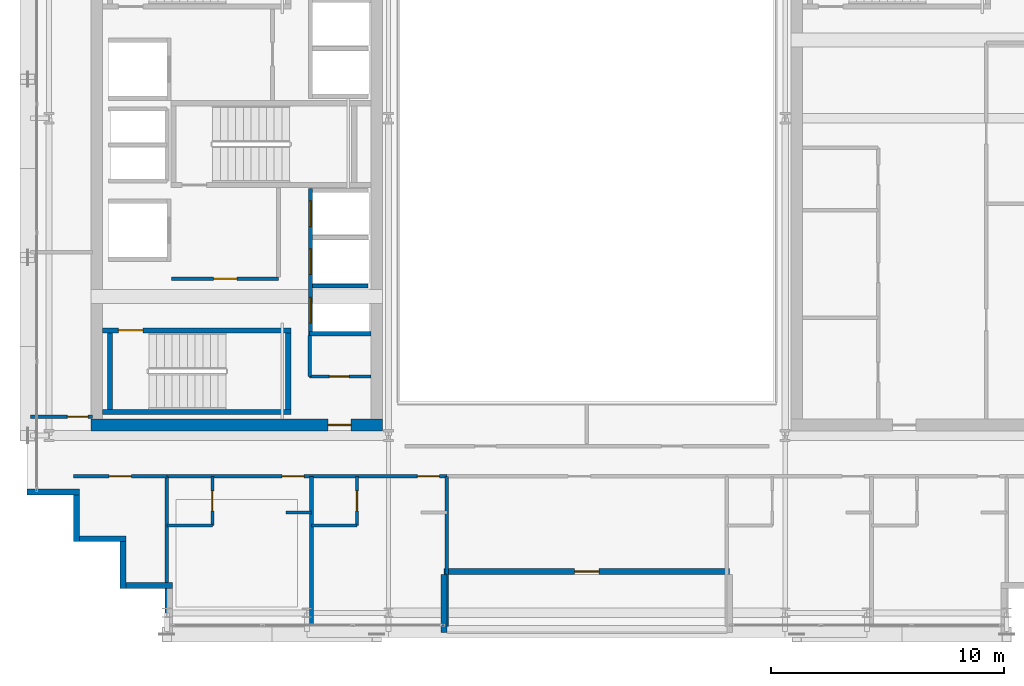
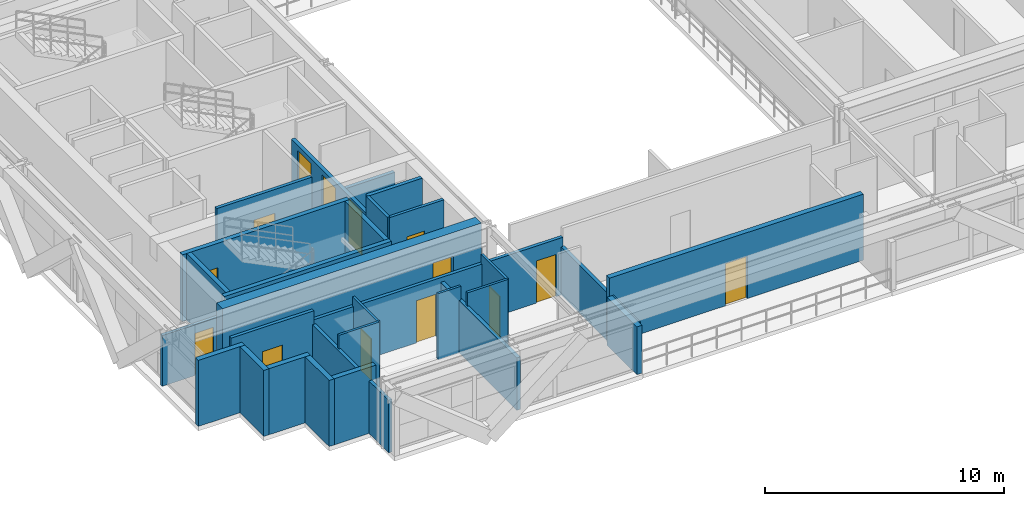
# One storey, part 24 of 32: 29 walls, 14 doors, 14 openings.
"""IFC4 building model written with IfcOpenShell, lengths in metres."""

from ifc_helpers import new_model, si_unit, direction, frame, frame_2d, origin, place, context, subcontext, project, spatial, rectangle, extrude, source, transform, mapped, material, layer, layer_set, type_object, element, fill, save


model = new_model("IFC4")

# Units and contexts
model_context = context("Model", 3, precision=1e-05, world=origin(), true_north=direction((0.0, 1.0)))
body_context = subcontext(model_context, "Body", "Model", "MODEL_VIEW")
ifc_project = project(units=[si_unit("LENGTHUNIT", "METRE"), si_unit("AREAUNIT", "SQUARE_METRE"), si_unit("VOLUMEUNIT", "CUBIC_METRE"), si_unit("PLANEANGLEUNIT", "RADIAN"), si_unit("MASSUNIT", "GRAM", prefix="KILO")], contexts=[model_context])

# Site, building, storey
site_placement = place(None, origin())
site = spatial("IfcSite", under=ifc_project, at=site_placement, CompositionType="ELEMENT")
building_placement = place(site_placement, origin())
building = spatial("IfcBuilding", under=site, at=building_placement, Name="Ocotamira Hotel", CompositionType="ELEMENT")
storey_placement = place(building_placement, frame((0.0, 0.0, 177.60009765625)))
storey = spatial("IfcBuildingStorey", under=building, at=storey_placement, Name="L44", CompositionType="ELEMENT", Elevation=177.60009765625)

# Wall, opening, door
ifc_material_1 = material(Name="Concrete C50/60", Category="concrete")
ifc_layer_1 = layer(ifc_material_1, 0.5)
ifc_layer_set_1 = layer_set([ifc_layer_1], Name="Concrete C50/60")
wall_type_1 = type_object("IfcWallType", Name="WL-CORE-500", PredefinedType="SHEAR", material=ifc_layer_set_1)
wall_1_placement = place(storey_placement, frame((10.75, 15.0, 0.0), z_axis=(0.0, 0.0, 1.0), x_axis=(1.0, 0.0, 0.0)))
wall_1 = element("IfcWall", 1, at=wall_1_placement, inside=storey, type_object=wall_type_1, Name="L44 Shear Core Wall WCORE-S", PredefinedType="SHEAR", context=body_context, shape_type="SweptSolid", body=[
    extrude(rectangle(XDim=12.5, YDim=0.5, at=frame_2d((6.25, 0.0))), origin(), (0.0, 0.0, 1.0), 3.369873046875),
])
opening_1_placement = place(wall_1_placement, frame((10.14990234375, 0.0, 0.0)))
opening_1 = element("IfcOpeningElement", 2, at=opening_1_placement, cuts=wall_1, Name="Opening D-FR2", PredefinedType="OPENING", context=body_context, shape_type="SweptSolid", body=[
    extrude(rectangle(XDim=1.0, YDim=2.14990234375, at=frame_2d((0.5, 1.074951171875))), frame((0.0, 0.260009765625, 0.0), z_axis=(0.0, -1.0, 0.0), x_axis=(1.0, 0.0, 0.0)), (0.0, 0.0, 1.0), 0.52001953125),
])
ifc_material_2 = material(Name="Fire-rated acoustic timber-veneer door", Category="wood")
door_type_1 = type_object("IfcDoorType", Name="DR-FIRE-1000", OperationType="NOTDEFINED", PredefinedType="DOOR", material=ifc_material_2)
shared_shape_1 = source(origin(), body_context, "Body", "SweptSolid", [
    extrude(rectangle(XDim=1.0, YDim=2.14990234375, at=frame_2d((0.5, 1.074951171875))), frame((0.0, 0.02490234375, 0.0), z_axis=(0.0, -1.0, 0.0), x_axis=(1.0, 0.0, 0.0)), (0.0, 0.0, 1.0), 0.050048828125),
])
door_1_placement = place(opening_1_placement, origin())
door_1 = element("IfcDoor", 3, at=door_1_placement, inside=storey, type_object=door_type_1, Name="L44 Door ID-L44-WLOB-S-D [ID-L44-WLOB-S-D]", OperationType="SINGLE_SWING_LEFT", OverallHeight=2.14990234375, OverallWidth=1.0, PredefinedType="DOOR", context=body_context, shape_type="MappedRepresentation", body=[
    mapped(shared_shape_1, transform((0.0, 0.0, 0.0), scale=1.0)),
])
fill(opening_1, door_1)

# Walls
ifc_material_3 = material(Name="Precast concrete C45/55", Category="concrete")
ifc_layer_2 = layer(ifc_material_3, 0.25)
ifc_layer_set_2 = layer_set([ifc_layer_2], Name="Precast concrete C45/55")
wall_type_2 = type_object("IfcWallType", Name="WL-EXT-SER-250", PredefinedType="SOLIDWALL", material=ifc_layer_set_2)
wall_2_placement = place(storey_placement, frame((8.0, 12.125, 0.0), z_axis=(0.0, 0.0, 1.0), x_axis=(1.0, 0.0, 0.0)))
element("IfcWall", 4, at=wall_2_placement, inside=storey, type_object=wall_type_2, Name="L44 Serrated Corner Wall 19", PredefinedType="SOLIDWALL", context=body_context, shape_type="SweptSolid", body=[
    extrude(rectangle(XDim=2.25, YDim=0.25, at=frame_2d((1.125, 0.0))), origin(), (0.0, 0.0, 1.0), 3.369873046875),
])
for number, where, z_axis, x_axis, name in (
    (5, (10.125, 12.0, 0.0), (0.0, 0.0, 1.0), (0.0, -1.0, 0.0), "L44 Serrated Corner Wall 20"),
    (6, (10.25, 10.125, 0.0), (0.0, 0.0, 1.0), (1.0, 0.0, 0.0), "L44 Serrated Corner Wall 21"),
    (7, (12.125, 10.0, 0.0), (0.0, 0.0, 1.0), (0.0, -1.0, 0.0), "L44 Serrated Corner Wall 22"),
    (8, (12.25, 8.125, 0.0), (0.0, 0.0, 1.0), (1.0, 0.0, 0.0), "L44 Serrated Corner Wall 23"),
):
    element("IfcWall", number, at=place(storey_placement, frame(where, z_axis=z_axis, x_axis=x_axis)), inside=storey, type_object=wall_type_2, Name=name, PredefinedType="SOLIDWALL", context=body_context, shape_type="SweptSolid", body=[
        extrude(rectangle(XDim=2.0, YDim=0.25, at=frame_2d((1.0, 0.0))), origin(), (0.0, 0.0, 1.0), 3.369873046875),
    ])

# Wall, opening, door
wall_3_placement = place(storey_placement, frame((25.875, 8.72509765625, 0.0), z_axis=(0.0, 0.0, 1.0), x_axis=(1.0, 0.0, 0.0)))
wall_3 = element("IfcWall", 9, at=wall_3_placement, inside=storey, type_object=wall_type_2, Name="L44 Sky Terrace Back Wall 1", PredefinedType="SOLIDWALL", context=body_context, shape_type="SweptSolid", body=[
    extrude(rectangle(XDim=12.25, YDim=0.25, at=frame_2d((6.125, 0.0))), origin(), (0.0, 0.0, 1.0), 3.369873046875),
])
opening_2_placement = place(wall_3_placement, frame((5.60009765625, 0.0, 0.0)))
opening_2 = element("IfcOpeningElement", 10, at=opening_2_placement, cuts=wall_3, Name="Opening ED-3", PredefinedType="OPENING", context=body_context, shape_type="SweptSolid", body=[
    extrude(rectangle(XDim=1.050048828125, YDim=2.14990234375, at=frame_2d((0.52490234375, 1.074951171875))), frame((0.0, 0.135009765625, 0.0), z_axis=(0.0, -1.0, 0.0), x_axis=(1.0, 0.0, 0.0)), (0.0, 0.0, 1.0), 0.27001953125),
])
ifc_material_4 = material(Name="Thermally broken aluminium glazed door", Category="aluminium")
door_type_2 = type_object("IfcDoorType", Name="DR-TERR-1050", OperationType="NOTDEFINED", PredefinedType="DOOR", material=ifc_material_4)
shared_shape_2 = source(origin(), body_context, "Body", "SweptSolid", [
    extrude(rectangle(XDim=1.050048828125, YDim=2.14990234375, at=frame_2d((0.52490234375, 1.074951171875))), frame((0.0, 0.02490234375, 0.0), z_axis=(0.0, -1.0, 0.0), x_axis=(1.0, 0.0, 0.0)), (0.0, 0.0, 1.0), 0.050048828125),
])
door_2_placement = place(opening_2_placement, origin())
door_2 = element("IfcDoor", 11, at=door_2_placement, inside=storey, type_object=door_type_2, Name="L44 Sky Terrace Access Door 1 [ED-BAL-L44-1]", OperationType="SINGLE_SWING_RIGHT", OverallHeight=2.14990234375, OverallWidth=1.050048828125, PredefinedType="DOOR", context=body_context, shape_type="MappedRepresentation", body=[
    mapped(shared_shape_2, transform((0.0, 0.0, 0.0), scale=1.0)),
])
fill(opening_2, door_2)

# Wall
wall_4_placement = place(storey_placement, frame((25.875, 6.10009765625, 0.0), z_axis=(0.0, 0.0, 1.0), x_axis=(0.0, 1.0, 0.0)))
element("IfcWall", 12, at=wall_4_placement, inside=storey, type_object=wall_type_2, Name="L44 Sky Terrace Return Wall 1L", PredefinedType="SOLIDWALL", context=body_context, shape_type="SweptSolid", body=[
    extrude(rectangle(XDim=2.5, YDim=0.25, at=frame_2d((1.25, 0.0))), origin(), (0.0, 0.0, 1.0), 2.44287109375),
])

# Wall, opening, door
ifc_material_5 = material(Name="Acoustic double-layer fire gypsum board partition", Category="gypsum")
ifc_layer_3 = layer(ifc_material_5, 0.159912109375)
ifc_layer_set_3 = layer_set([ifc_layer_3], Name="Acoustic double-layer fire gypsum board partition")
wall_type_3 = type_object("IfcWallType", Name="WL-FIRE-160", PredefinedType="PARTITIONING", material=ifc_layer_set_3)
wall_5_placement = place(storey_placement, frame((14.199951171875, 21.27001953125, 0.0), z_axis=(0.0, 0.0, 1.0), x_axis=(1.0, 0.0, 0.0)))
wall_5 = element("IfcWall", 13, at=wall_5_placement, inside=storey, type_object=wall_type_3, Name="L44 Interior Wall PW-L44-FSAE1-S", PredefinedType="PARTITIONING", context=body_context, shape_type="SweptSolid", body=[
    extrude(rectangle(XDim=4.580078125, YDim=0.159912109375, at=frame_2d((2.2900390625, 0.0))), origin(), (0.0, 0.0, 1.0), 3.369873046875),
])
opening_3_placement = place(wall_5_placement, frame((1.800048828125, 0.0, 0.0)))
opening_3 = element("IfcOpeningElement", 14, at=opening_3_placement, cuts=wall_5, Name="Opening D-FR2", PredefinedType="OPENING", context=body_context, shape_type="SweptSolid", body=[
    extrude(rectangle(XDim=1.0, YDim=2.14990234375, at=frame_2d((0.5, 1.074951171875))), frame((0.0, 0.08984375, 0.0), z_axis=(0.0, -1.0, 0.0), x_axis=(1.0, 0.0, 0.0)), (0.0, 0.0, 1.0), 0.179931640625),
])
door_3_placement = place(opening_3_placement, origin())
door_3 = element("IfcDoor", 15, at=door_3_placement, inside=storey, type_object=door_type_1, Name="L44 Door ID-L44-FSAE1-D [ID-L44-FSAE1-D]", OperationType="SINGLE_SWING_LEFT", OverallHeight=2.14990234375, OverallWidth=1.0, PredefinedType="DOOR", context=body_context, shape_type="MappedRepresentation", body=[
    mapped(shared_shape_1, transform((0.0, 0.0, 0.0), scale=1.0)),
])
fill(opening_3, door_3)

wall_6_placement = place(storey_placement, frame((10.0, 12.800048828125, 0.0), z_axis=(0.0, 0.0, 1.0), x_axis=(1.0, 0.0, 0.0)))
wall_6 = element("IfcWall", 16, at=wall_6_placement, inside=storey, type_object=wall_type_3, Name="L44 Interior Wall PW-L44-Z3B-CSW-CW", PredefinedType="PARTITIONING", context=body_context, shape_type="SweptSolid", body=[
    extrude(rectangle(XDim=4.0, YDim=0.159912109375, at=frame_2d((2.0, 0.0))), origin(), (0.0, 0.0, 1.0), 3.369873046875),
])
opening_4_placement = place(wall_6_placement, frame((1.52001953125, 0.0, 0.0)))
opening_4 = element("IfcOpeningElement", 17, at=opening_4_placement, cuts=wall_6, Name="Opening D-SV4", PredefinedType="OPENING", context=body_context, shape_type="SweptSolid", body=[
    extrude(rectangle(XDim=0.9599609375, YDim=2.14990234375, at=frame_2d((0.47998046875, 1.074951171875))), frame((0.0, 0.08984375, 0.0), z_axis=(0.0, -1.0, 0.0), x_axis=(1.0, 0.0, 0.0)), (0.0, 0.0, 1.0), 0.179931640625),
])
ifc_material_6 = material(Name="Fire-rated accessible walnut salon door", Category="wood")
door_type_3 = type_object("IfcDoorType", Name="DR-SERV-960", OperationType="NOTDEFINED", PredefinedType="DOOR", material=ifc_material_6)
shared_shape_3 = source(origin(), body_context, "Body", "SweptSolid", [
    extrude(rectangle(XDim=0.9599609375, YDim=2.14990234375, at=frame_2d((0.47998046875, 1.074951171875))), frame((0.0, 0.02490234375, 0.0), z_axis=(0.0, -1.0, 0.0), x_axis=(1.0, 0.0, 0.0)), (0.0, 0.0, 1.0), 0.050048828125),
])
door_4_placement = place(opening_4_placement, origin())
door_4 = element("IfcDoor", 18, at=door_4_placement, inside=storey, type_object=door_type_3, Name="L44 Door ID-L44-Z3B-CSW-CD [ID-L44-Z3B-CSW-CD]", OperationType="SINGLE_SWING_LEFT", OverallHeight=2.14990234375, OverallWidth=0.9599609375, PredefinedType="DOOR", context=body_context, shape_type="MappedRepresentation", body=[
    mapped(shared_shape_3, transform((0.0, 0.0, 0.0), scale=1.0)),
])
fill(opening_4, door_4)

# Wall, openings, doors
wall_7_placement = place(storey_placement, frame((14.0, 12.800048828125, 0.0), z_axis=(0.0, 0.0, 1.0), x_axis=(1.0, 0.0, 0.0)))
wall_7 = element("IfcWall", 19, at=wall_7_placement, inside=storey, type_object=wall_type_3, Name="L44 Interior Wall PW-L44-Z3BSW-CORRW", PredefinedType="PARTITIONING", context=body_context, shape_type="SweptSolid", body=[
    extrude(rectangle(XDim=12.0, YDim=0.159912109375, at=frame_2d((6.0, 0.0))), origin(), (0.0, 0.0, 1.0), 2.912841796875),
])
opening_5_placement = place(wall_7_placement, frame((4.93994140625, 0.0, 0.0)))
opening_5 = element("IfcOpeningElement", 20, at=opening_5_placement, cuts=wall_7, Name="Opening D-GR1", PredefinedType="OPENING", context=body_context, shape_type="SweptSolid", body=[
    extrude(rectangle(XDim=0.93994140625, YDim=2.14990234375, at=frame_2d((0.469970703125, 1.074951171875))), frame((0.0, 0.08984375, 0.0), z_axis=(0.0, -1.0, 0.0), x_axis=(1.0, 0.0, 0.0)), (0.0, 0.0, 1.0), 0.179931640625),
])
opening_6_placement = place(wall_7_placement, frame((10.739990234375, 0.0, 0.0)))
opening_6 = element("IfcOpeningElement", 21, at=opening_6_placement, cuts=wall_7, Name="Opening D-GR1", PredefinedType="OPENING", context=body_context, shape_type="SweptSolid", body=[
    extrude(rectangle(XDim=0.93994140625, YDim=2.14990234375, at=frame_2d((0.469970703125, 1.074951171875))), frame((0.0, 0.08984375, 0.0), z_axis=(0.0, -1.0, 0.0), x_axis=(1.0, 0.0, 0.0)), (0.0, 0.0, 1.0), 0.179931640625),
])
ifc_material_7 = material(Name="Solid-core walnut suite entrance fire door", Category="wood")
door_type_4 = type_object("IfcDoorType", Name="DR-GUEST-940", OperationType="NOTDEFINED", PredefinedType="DOOR", material=ifc_material_7)
shared_shape_4 = source(origin(), body_context, "Body", "SweptSolid", [
    extrude(rectangle(XDim=0.93994140625, YDim=2.14990234375, at=frame_2d((0.469970703125, 1.074951171875))), frame((0.0, 0.02490234375, 0.0), z_axis=(0.0, -1.0, 0.0), x_axis=(1.0, 0.0, 0.0)), (0.0, 0.0, 1.0), 0.050048828125),
])
door_5_placement = place(opening_5_placement, origin())
door_5 = element("IfcDoor", 22, at=door_5_placement, inside=storey, type_object=door_type_4, Name="L44 Door ID-L44-Z3BSW-RMD1 [ID-L44-Z3BSW-RMD1]", OperationType="SINGLE_SWING_LEFT", OverallHeight=2.14990234375, OverallWidth=0.93994140625, PredefinedType="DOOR", context=body_context, shape_type="MappedRepresentation", body=[
    mapped(shared_shape_4, transform((0.0, 0.0, 0.0), scale=1.0)),
])
fill(opening_5, door_5)
door_6_placement = place(opening_6_placement, origin())
door_6 = element("IfcDoor", 23, at=door_6_placement, inside=storey, type_object=door_type_4, Name="L44 Door ID-L44-Z3BSW-RMD2 [ID-L44-Z3BSW-RMD2]", OperationType="SINGLE_SWING_RIGHT", OverallHeight=2.14990234375, OverallWidth=0.93994140625, PredefinedType="DOOR", context=body_context, shape_type="MappedRepresentation", body=[
    mapped(shared_shape_4, transform((0.0, 0.0, 0.0), scale=1.0)),
])
fill(opening_6, door_6)

# Wall, opening, door
ifc_material_8 = material(Name="Moisture-resistant en-suite tile and gypsum partition", Category="gypsum")
ifc_layer_4 = layer(ifc_material_8, 0.1201171875)
ifc_layer_set_4 = layer_set([ifc_layer_4], Name="Moisture-resistant en-suite tile and gypsum partition")
wall_type_4 = type_object("IfcWallType", Name="WL-PART-120", PredefinedType="PARTITIONING", material=ifc_layer_set_4)
wall_8_placement = place(storey_placement, frame((15.949951171875, 10.699951171875, 0.0), z_axis=(0.0, 0.0, 1.0), x_axis=(0.0, 1.0, 0.0)))
wall_8 = element("IfcWall", 24, at=wall_8_placement, inside=storey, type_object=wall_type_4, Name="L44 Interior Wall PW-L44-Z3BSW-BAE1", PredefinedType="PARTITIONING", context=body_context, shape_type="SweptSolid", body=[
    extrude(rectangle(XDim=2.10009765625, YDim=0.1201171875, at=frame_2d((1.050048828125, 0.0))), origin(), (0.0, 0.0, 1.0), 3.369873046875),
])
opening_7_placement = place(wall_8_placement, frame((0.6201171875, 0.0, 0.0)))
opening_7 = element("IfcOpeningElement", 25, at=opening_7_placement, cuts=wall_8, Name="Opening D-BA1", PredefinedType="OPENING", context=body_context, shape_type="SweptSolid", body=[
    extrude(rectangle(XDim=0.860107421875, YDim=2.10009765625, at=frame_2d((0.43017578125, 1.050048828125))), frame((0.0, 0.070068359375, 0.0), z_axis=(0.0, -1.0, 0.0), x_axis=(1.0, 0.0, 0.0)), (0.0, 0.0, 1.0), 0.14013671875),
])
ifc_material_9 = material(Name="Moisture-sealed en-suite timber door", Category="wood")
door_type_5 = type_object("IfcDoorType", Name="DR-BATH-860", OperationType="NOTDEFINED", PredefinedType="DOOR", material=ifc_material_9)
shared_shape_5 = source(origin(), body_context, "Body", "SweptSolid", [
    extrude(rectangle(XDim=0.860107421875, YDim=2.10009765625, at=frame_2d((0.43017578125, 1.050048828125))), frame((0.0, 0.02490234375, 0.0), z_axis=(0.0, -1.0, 0.0), x_axis=(1.0, 0.0, 0.0)), (0.0, 0.0, 1.0), 0.050048828125),
])
door_7_placement = place(opening_7_placement, origin())
door_7 = element("IfcDoor", 26, at=door_7_placement, inside=storey, type_object=door_type_5, Name="L44 Door ID-L44-Z3BSW-BAD1 [ID-L44-Z3BSW-BAD1]", OperationType="SINGLE_SWING_RIGHT", OverallHeight=2.10009765625, OverallWidth=0.860107421875, PredefinedType="DOOR", context=body_context, shape_type="MappedRepresentation", body=[
    mapped(shared_shape_5, transform((0.0, 0.0, 0.0), scale=1.0)),
])
fill(opening_7, door_7)

# Walls
wall_9_placement = place(storey_placement, frame((14.0, 10.699951171875, 0.0), z_axis=(0.0, 0.0, 1.0), x_axis=(1.0, 0.0, 0.0)))
element("IfcWall", 27, at=wall_9_placement, inside=storey, type_object=wall_type_4, Name="L44 Interior Wall PW-L44-Z3BSW-BAS1", PredefinedType="PARTITIONING", context=body_context, shape_type="SweptSolid", body=[
    extrude(rectangle(XDim=1.949951171875, YDim=0.1201171875, at=frame_2d((0.97509765625, 0.0))), origin(), (0.0, 0.0, 1.0), 3.369873046875),
])
wall_10_placement = place(storey_placement, frame((19.10009765625, 11.25, 0.0), z_axis=(0.0, 0.0, 1.0), x_axis=(1.0, 0.0, 0.0)))
element("IfcWall", 28, at=wall_10_placement, inside=storey, type_object=wall_type_4, Name="L44 Interior Wall PW-L44-Z3BSW-DRN1", PredefinedType="PARTITIONING", context=body_context, shape_type="SweptSolid", body=[
    extrude(rectangle(XDim=1.099853515625, YDim=0.1201171875, at=frame_2d((0.5498046875, 0.0))), origin(), (0.0, 0.0, 1.0), 3.369873046875),
])

# Wall, opening, door
wall_11_placement = place(storey_placement, frame((22.14990234375, 10.699951171875, 0.0), z_axis=(0.0, 0.0, 1.0), x_axis=(0.0, 1.0, 0.0)))
wall_11 = element("IfcWall", 29, at=wall_11_placement, inside=storey, type_object=wall_type_4, Name="L44 Interior Wall PW-L44-Z3BSW-BAE2", PredefinedType="PARTITIONING", context=body_context, shape_type="SweptSolid", body=[
    extrude(rectangle(XDim=2.10009765625, YDim=0.1201171875, at=frame_2d((1.050048828125, 0.0))), origin(), (0.0, 0.0, 1.0), 3.369873046875),
])
opening_8_placement = place(wall_11_placement, frame((0.6201171875, 0.0, 0.0)))
opening_8 = element("IfcOpeningElement", 30, at=opening_8_placement, cuts=wall_11, Name="Opening D-BA1", PredefinedType="OPENING", context=body_context, shape_type="SweptSolid", body=[
    extrude(rectangle(XDim=0.860107421875, YDim=2.10009765625, at=frame_2d((0.43017578125, 1.050048828125))), frame((0.0, 0.070068359375, 0.0), z_axis=(0.0, -1.0, 0.0), x_axis=(1.0, 0.0, 0.0)), (0.0, 0.0, 1.0), 0.14013671875),
])
door_8_placement = place(opening_8_placement, origin())
door_8 = element("IfcDoor", 31, at=door_8_placement, inside=storey, type_object=door_type_5, Name="L44 Door ID-L44-Z3BSW-BAD2 [ID-L44-Z3BSW-BAD2]", OperationType="SINGLE_SWING_LEFT", OverallHeight=2.10009765625, OverallWidth=0.860107421875, PredefinedType="DOOR", context=body_context, shape_type="MappedRepresentation", body=[
    mapped(shared_shape_5, transform((0.0, 0.0, 0.0), scale=1.0)),
])
fill(opening_8, door_8)

# Walls
wall_12_placement = place(storey_placement, frame((20.199951171875, 10.699951171875, 0.0), z_axis=(0.0, 0.0, 1.0), x_axis=(1.0, 0.0, 0.0)))
element("IfcWall", 32, at=wall_12_placement, inside=storey, type_object=wall_type_4, Name="L44 Interior Wall PW-L44-Z3BSW-BAS2", PredefinedType="PARTITIONING", context=body_context, shape_type="SweptSolid", body=[
    extrude(rectangle(XDim=1.949951171875, YDim=0.1201171875, at=frame_2d((0.97509765625, 0.0))), origin(), (0.0, 0.0, 1.0), 3.369873046875),
])
ifc_material_10 = material(Name="Acoustic hospitality gypsum board partition", Category="gypsum")
ifc_layer_5 = layer(ifc_material_10, 0.14208984375)
ifc_layer_set_5 = layer_set([ifc_layer_5], Name="Acoustic hospitality gypsum board partition")
wall_type_5 = type_object("IfcWallType", Name="WL-PART-142", PredefinedType="PARTITIONING", material=ifc_layer_set_5)
wall_13_placement = place(storey_placement, frame((20.1201171875, 17.080078125, 0.0), z_axis=(0.0, 0.0, 1.0), x_axis=(0.0, 1.0, 0.0)))
element("IfcWall", 33, at=wall_13_placement, inside=storey, type_object=wall_type_5, Name="L44 Interior Wall PW-L44-WC-SE-W2", PredefinedType="PARTITIONING", context=body_context, shape_type="SweptSolid", body=[
    extrude(rectangle(XDim=1.760009765625, YDim=0.14208984375, at=frame_2d((0.8798828125, 0.0))), origin(), (0.0, 0.0, 1.0), 3.369873046875),
])

# Wall, opening, door
wall_14_placement = place(storey_placement, frame((20.1201171875, 17.080078125, 0.0), z_axis=(0.0, 0.0, 1.0), x_axis=(1.0, 0.0, 0.0)))
wall_14 = element("IfcWall", 34, at=wall_14_placement, inside=storey, type_object=wall_type_5, Name="L44 Interior Wall PW-L44-WC-SE-S2", PredefinedType="PARTITIONING", context=body_context, shape_type="SweptSolid", body=[
    extrude(rectangle(XDim=2.6298828125, YDim=0.14208984375, at=frame_2d((1.31494140625, 0.0))), origin(), (0.0, 0.0, 1.0), 3.369873046875),
])
opening_9_placement = place(wall_14_placement, frame((0.85009765625, 0.0, 0.0)))
opening_9 = element("IfcOpeningElement", 35, at=opening_9_placement, cuts=wall_14, Name="Opening D-SV1", PredefinedType="OPENING", context=body_context, shape_type="SweptSolid", body=[
    extrude(rectangle(XDim=0.840087890625, YDim=2.10009765625, at=frame_2d((0.419921875, 1.050048828125))), frame((0.0, 0.0810546875, 0.0), z_axis=(0.0, -1.0, 0.0), x_axis=(1.0, 0.0, 0.0)), (0.0, 0.0, 1.0), 0.162109375),
])
ifc_material_11 = material(Name="Fire-rated painted steel service door", Category="steel")
door_type_6 = type_object("IfcDoorType", Name="DR-SERV-840", OperationType="NOTDEFINED", PredefinedType="DOOR", material=ifc_material_11)
shared_shape_6 = source(origin(), body_context, "Body", "SweptSolid", [
    extrude(rectangle(XDim=0.840087890625, YDim=2.10009765625, at=frame_2d((0.419921875, 1.050048828125))), frame((0.0, 0.02490234375, 0.0), z_axis=(0.0, -1.0, 0.0), x_axis=(1.0, 0.0, 0.0)), (0.0, 0.0, 1.0), 0.050048828125),
])
door_9_placement = place(opening_9_placement, origin())
door_9 = element("IfcDoor", 36, at=door_9_placement, inside=storey, type_object=door_type_6, Name="L44 Door ID-L44-WC-SE-D2 [ID-L44-WC-SE-D2]", OperationType="SINGLE_SWING_LEFT", OverallHeight=2.10009765625, OverallWidth=0.840087890625, PredefinedType="DOOR", context=body_context, shape_type="MappedRepresentation", body=[
    mapped(shared_shape_6, transform((0.0, 0.0, 0.0), scale=1.0)),
])
fill(opening_9, door_9)

ifc_layer_6 = layer(ifc_material_10, 0.14990234375)
ifc_layer_set_6 = layer_set([ifc_layer_6], Name="Acoustic hospitality gypsum board partition")
wall_type_6 = type_object("IfcWallType", Name="WL-PART-150", PredefinedType="PARTITIONING", material=ifc_layer_set_6)
wall_15_placement = place(storey_placement, frame((8.159912109375, 15.360107421875, 0.0), z_axis=(0.0, 0.0, 1.0), x_axis=(1.0, 0.0, 0.0)))
wall_15 = element("IfcWall", 37, at=wall_15_placement, inside=storey, type_object=wall_type_6, Name="L44 Interior Wall PW-L44-Z3B-WF-WS", PredefinedType="PARTITIONING", context=body_context, shape_type="SweptSolid", body=[
    extrude(rectangle(XDim=2.66015625, YDim=0.14990234375, at=frame_2d((1.330078125, 0.0))), origin(), (0.0, 0.0, 1.0), 2.5908203125),
])
opening_10_placement = place(wall_15_placement, frame((1.580078125, 0.0, 0.0)))
opening_10 = element("IfcOpeningElement", 38, at=opening_10_placement, cuts=wall_15, Name="Opening D-SV2", PredefinedType="OPENING", context=body_context, shape_type="SweptSolid", body=[
    extrude(rectangle(XDim=0.8798828125, YDim=2.14990234375, at=frame_2d((0.43994140625, 1.074951171875))), frame((0.0, 0.0849609375, 0.0), z_axis=(0.0, -1.0, 0.0), x_axis=(1.0, 0.0, 0.0)), (0.0, 0.0, 1.0), 0.169921875),
])
door_type_7 = type_object("IfcDoorType", Name="DR-SERV-880", OperationType="NOTDEFINED", PredefinedType="DOOR", material=ifc_material_11)
shared_shape_7 = source(origin(), body_context, "Body", "SweptSolid", [
    extrude(rectangle(XDim=0.8798828125, YDim=2.14990234375, at=frame_2d((0.43994140625, 1.074951171875))), frame((0.0, 0.02490234375, 0.0), z_axis=(0.0, -1.0, 0.0), x_axis=(1.0, 0.0, 0.0)), (0.0, 0.0, 1.0), 0.050048828125),
])
door_10_placement = place(opening_10_placement, origin())
door_10 = element("IfcDoor", 39, at=door_10_placement, inside=storey, type_object=door_type_7, Name="L44 Door ID-L44-Z3B-WF-DS [ID-L44-Z3B-WF-DS]", OperationType="SINGLE_SWING_LEFT", OverallHeight=2.14990234375, OverallWidth=0.8798828125, PredefinedType="DOOR", context=body_context, shape_type="MappedRepresentation", body=[
    mapped(shared_shape_7, transform((0.0, 0.0, 0.0), scale=1.0)),
])
fill(opening_10, door_10)

# Walls
ifc_material_12 = material(Name="Acoustic double-stud hospitality gypsum partition", Category="gypsum")
ifc_layer_7 = layer(ifc_material_12, 0.159912109375)
ifc_layer_set_7 = layer_set([ifc_layer_7], Name="Acoustic double-stud hospitality gypsum partition")
wall_type_7 = type_object("IfcWallType", Name="WL-PART-160", PredefinedType="PARTITIONING", material=ifc_layer_set_7)
wall_16_placement = place(storey_placement, frame((14.0, 6.360107421875, 0.0), z_axis=(0.0, 0.0, 1.0), x_axis=(0.0, 1.0, 0.0)))
element("IfcWall", 40, at=wall_16_placement, inside=storey, type_object=wall_type_7, Name="L44 Interior Wall PW-L44-Z3BSW-PW0", PredefinedType="PARTITIONING", context=body_context, shape_type="SweptSolid", body=[
    extrude(rectangle(XDim=6.43994140625, YDim=0.159912109375, at=frame_2d((3.219970703125, 0.0))), origin(), (0.0, 0.0, 1.0), 2.677001953125),
])
wall_17_placement = place(storey_placement, frame((26.0, 6.360107421875, 0.0), z_axis=(0.0, 0.0, 1.0), x_axis=(0.0, 1.0, 0.0)))
element("IfcWall", 41, at=wall_17_placement, inside=storey, type_object=wall_type_7, Name="L44 Interior Wall PW-L44-Z3BSW-PWEND", PredefinedType="PARTITIONING", context=body_context, shape_type="SweptSolid", body=[
    extrude(rectangle(XDim=6.43994140625, YDim=0.159912109375, at=frame_2d((3.219970703125, 0.0))), origin(), (0.0, 0.0, 1.0), 2.44287109375),
])
ifc_material_13 = material(Name="Double-stud suite party gypsum partition", Category="gypsum")
ifc_layer_8 = layer(ifc_material_13, 0.175048828125)
ifc_layer_set_8 = layer_set([ifc_layer_8], Name="Double-stud suite party gypsum partition")
wall_type_8 = type_object("IfcWallType", Name="WL-PART-175", PredefinedType="PARTITIONING", material=ifc_layer_set_8)
wall_18_placement = place(storey_placement, frame((20.199951171875, 6.360107421875, 0.0), z_axis=(0.0, 0.0, 1.0), x_axis=(0.0, 1.0, 0.0)))
element("IfcWall", 42, at=wall_18_placement, inside=storey, type_object=wall_type_8, Name="L44 Interior Wall PW-L44-Z3BSW-PW1", PredefinedType="PARTITIONING", context=body_context, shape_type="SweptSolid", body=[
    extrude(rectangle(XDim=6.43994140625, YDim=0.175048828125, at=frame_2d((3.219970703125, 0.0))), origin(), (0.0, 0.0, 1.0), 2.677001953125),
])

# Wall, openings, doors
ifc_material_14 = material(Name="Fire-rated gypsum shaftliner board assembly", Category="gypsum")
ifc_layer_9 = layer(ifc_material_14, 0.179931640625)
ifc_layer_set_9 = layer_set([ifc_layer_9], Name="Fire-rated gypsum shaftliner board assembly")
wall_type_9 = type_object("IfcWallType", Name="WL-SHAFT-180", PredefinedType="SOLIDWALL", material=ifc_layer_set_9)
wall_19_placement = place(storey_placement, frame((20.159912109375, 18.820068359375, 0.0), z_axis=(0.0, 0.0, 1.0), x_axis=(0.0, 1.0, 0.0)))
wall_19 = element("IfcWall", 43, at=wall_19_placement, inside=storey, type_object=wall_type_9, Name="L44 Interior Wall PW-L44-LFW-BANK-high-F", PredefinedType="SOLIDWALL", context=body_context, shape_type="SweptSolid", body=[
    extrude(rectangle(XDim=6.31982421875, YDim=0.179931640625, at=frame_2d((3.159912109375, 0.0))), origin(), (0.0, 0.0, 1.0), 2.469970703125),
])
opening_11_placement = place(wall_19_placement, frame((0.554931640625, 0.0, 0.0)))
opening_11 = element("IfcOpeningElement", 44, at=opening_11_placement, cuts=wall_19, Name="Opening LD-LF-P7", PredefinedType="OPENING", context=body_context, shape_type="SweptSolid", body=[
    extrude(rectangle(XDim=1.10009765625, YDim=2.199951171875, at=frame_2d((0.550048828125, 1.10009765625))), frame((0.0, 0.10009765625, 0.0), z_axis=(0.0, -1.0, 0.0), x_axis=(1.0, 0.0, 0.0)), (0.0, 0.0, 1.0), 0.199951171875),
])
opening_12_placement = place(wall_19_placement, frame((2.635009765625, 0.0, 0.0)))
opening_12 = element("IfcOpeningElement", 45, at=opening_12_placement, cuts=wall_19, Name="Opening LD-LF-P8", PredefinedType="OPENING", context=body_context, shape_type="SweptSolid", body=[
    extrude(rectangle(XDim=1.10009765625, YDim=2.199951171875, at=frame_2d((0.550048828125, 1.10009765625))), frame((0.0, 0.10009765625, 0.0), z_axis=(0.0, -1.0, 0.0), x_axis=(1.0, 0.0, 0.0)), (0.0, 0.0, 1.0), 0.199951171875),
])
opening_13_placement = place(wall_19_placement, frame((4.68994140625, 0.0, 0.0)))
opening_13 = element("IfcOpeningElement", 46, at=opening_13_placement, cuts=wall_19, Name="Opening LD-LF-P9", PredefinedType="OPENING", context=body_context, shape_type="SweptSolid", body=[
    extrude(rectangle(XDim=1.10009765625, YDim=2.199951171875, at=frame_2d((0.550048828125, 1.10009765625))), frame((0.0, 0.10009765625, 0.0), z_axis=(0.0, -1.0, 0.0), x_axis=(1.0, 0.0, 0.0)), (0.0, 0.0, 1.0), 0.199951171875),
])
ifc_material_15 = material(Name="Brushed pale-metal stainless elevator landing door", Category="steel")
door_type_8 = type_object("IfcDoorType", Name="DR-LIFT-1100", OperationType="NOTDEFINED", PredefinedType="DOOR", material=ifc_material_15)
shared_shape_8 = source(origin(), body_context, "Body", "SweptSolid", [
    extrude(rectangle(XDim=1.10009765625, YDim=2.199951171875, at=frame_2d((0.550048828125, 1.10009765625))), frame((0.0, 0.02490234375, 0.0), z_axis=(0.0, -1.0, 0.0), x_axis=(1.0, 0.0, 0.0)), (0.0, 0.0, 1.0), 0.050048828125),
])
door_11_placement = place(opening_11_placement, origin())
door_11 = element("IfcDoor", 47, at=door_11_placement, inside=storey, type_object=door_type_8, Name="L44 Landing Door LD-LF-P7 [ID-L44-LD-LF-P7]", OperationType="DOUBLE_DOOR_SLIDING", OverallHeight=2.199951171875, OverallWidth=1.10009765625, PredefinedType="DOOR", context=body_context, shape_type="MappedRepresentation", body=[
    mapped(shared_shape_8, transform((0.0, 0.0, 0.0), scale=1.0)),
])
fill(opening_11, door_11)
door_12_placement = place(opening_12_placement, origin())
door_12 = element("IfcDoor", 48, at=door_12_placement, inside=storey, type_object=door_type_8, Name="L44 Landing Door LD-LF-P8 [ID-L44-LD-LF-P8]", OperationType="DOUBLE_DOOR_SLIDING", OverallHeight=2.199951171875, OverallWidth=1.10009765625, PredefinedType="DOOR", context=body_context, shape_type="MappedRepresentation", body=[
    mapped(shared_shape_8, transform((0.0, 0.0, 0.0), scale=1.0)),
])
fill(opening_12, door_12)
door_13_placement = place(opening_13_placement, origin())
door_13 = element("IfcDoor", 49, at=door_13_placement, inside=storey, type_object=door_type_8, Name="L44 Landing Door LD-LF-P9 [ID-L44-LD-LF-P9]", OperationType="DOUBLE_DOOR_SLIDING", OverallHeight=2.199951171875, OverallWidth=1.10009765625, PredefinedType="DOOR", context=body_context, shape_type="MappedRepresentation", body=[
    mapped(shared_shape_8, transform((0.0, 0.0, 0.0), scale=1.0)),
])
fill(opening_13, door_13)

# Walls
wall_20_placement = place(storey_placement, frame((20.1201171875, 18.909912109375, 0.0), z_axis=(0.0, 0.0, 1.0), x_axis=(1.0, 0.0, 0.0)))
element("IfcWall", 50, at=wall_20_placement, inside=storey, type_object=wall_type_9, Name="L44 Interior Wall PW-L44-LFW-BANK-high-S", PredefinedType="SOLIDWALL", context=body_context, shape_type="SweptSolid", body=[
    extrude(rectangle(XDim=2.6298828125, YDim=0.179931640625, at=frame_2d((1.31494140625, 0.0))), origin(), (0.0, 0.0, 1.0), 3.369873046875),
])
wall_21_placement = place(storey_placement, frame((20.25, 20.965087890625, 0.0), z_axis=(0.0, 0.0, 1.0), x_axis=(1.0, 0.0, 0.0)))
element("IfcWall", 51, at=wall_21_placement, inside=storey, type_object=wall_type_9, Name="L44 Interior Wall PW-L44-LFW-DIV-LF-P7", PredefinedType="SOLIDWALL", context=body_context, shape_type="SweptSolid", body=[
    extrude(rectangle(XDim=2.360107421875, YDim=0.179931640625, at=frame_2d((1.18017578125, 0.0))), origin(), (0.0, 0.0, 1.0), 2.469970703125),
])
ifc_layer_10 = layer(ifc_material_1, 0.219970703125)
ifc_layer_set_10 = layer_set([ifc_layer_10], Name="Concrete C50/60")
wall_type_10 = type_object("IfcWallType", Name="WL-STAIR-220", PredefinedType="SHEAR", material=ifc_layer_set_10)
wall_22_placement = place(storey_placement, frame((11.25, 15.56005859375, 0.0), z_axis=(0.0, 0.0, 1.0), x_axis=(1.0, 0.0, 0.0)))
element("IfcWall", 52, at=wall_22_placement, inside=storey, type_object=wall_type_10, Name="L44 Stair Shaft Structural Wall ST-1-S", PredefinedType="SHEAR", context=body_context, shape_type="SweptSolid", body=[
    extrude(rectangle(XDim=8.06005859375, YDim=0.219970703125, at=frame_2d((4.030029296875, 0.0))), origin(), (0.0, 0.0, 1.0), 3.39990234375),
])

# Wall, opening, door
wall_23_placement = place(storey_placement, frame((11.25, 19.06005859375, 0.0), z_axis=(0.0, 0.0, 1.0), x_axis=(1.0, 0.0, 0.0)))
wall_23 = element("IfcWall", 53, at=wall_23_placement, inside=storey, type_object=wall_type_10, Name="L44 Stair Shaft Structural Wall ST-1-N", PredefinedType="SHEAR", context=body_context, shape_type="SweptSolid", body=[
    extrude(rectangle(XDim=8.06005859375, YDim=0.219970703125, at=frame_2d((4.030029296875, 0.0))), origin(), (0.0, 0.0, 1.0), 3.39990234375),
])
opening_14_placement = place(wall_23_placement, frame((0.669921875, 0.0, 0.0)))
opening_14 = element("IfcOpeningElement", 54, at=opening_14_placement, cuts=wall_23, Name="Opening D-ST2", PredefinedType="OPENING", context=body_context, shape_type="SweptSolid", body=[
    extrude(rectangle(XDim=1.050048828125, YDim=2.14990234375, at=frame_2d((0.52490234375, 1.074951171875))), frame((0.0, 0.1201171875, 0.0), z_axis=(0.0, -1.0, 0.0), x_axis=(1.0, 0.0, 0.0)), (0.0, 0.0, 1.0), 0.239990234375),
])
ifc_material_16 = material(Name="Insulated painted hollow-metal fire exit door", Category="steel")
door_type_9 = type_object("IfcDoorType", Name="DR-STAIR-1050", OperationType="NOTDEFINED", PredefinedType="DOOR", material=ifc_material_16)
door_14_placement = place(opening_14_placement, origin())
door_14 = element("IfcDoor", 55, at=door_14_placement, inside=storey, type_object=door_type_9, Name="L44 Door ID-L44-STD-ST-1 [ID-L44-STD-ST-1]", OperationType="SINGLE_SWING_LEFT", OverallHeight=2.14990234375, OverallWidth=1.050048828125, PredefinedType="DOOR", context=body_context, shape_type="MappedRepresentation", body=[
    mapped(shared_shape_2, transform((0.0, 0.0, 0.0), scale=1.0)),
])
fill(opening_14, door_14)

# Walls
for number, where, z_axis, x_axis, name in (
    (56, (11.56005859375, 15.669921875, 0.0), (0.0, 0.0, 1.0), (0.0, 1.0, 0.0), "L44 Stair Shaft Structural Wall ST-1-W"),
    (57, (19.199951171875, 15.669921875, 0.0), (0.0, 0.0, 1.0), (0.0, 1.0, 0.0), "L44 Stair Shaft Structural Wall ST-1-E"),
):
    element("IfcWall", number, at=place(storey_placement, frame(where, z_axis=z_axis, x_axis=x_axis)), inside=storey, type_object=wall_type_10, Name=name, PredefinedType="SHEAR", context=body_context, shape_type="SweptSolid", body=[
        extrude(rectangle(XDim=3.280029296875, YDim=0.219970703125, at=frame_2d((1.64013671875, 0.0))), origin(), (0.0, 0.0, 1.0), 3.39990234375),
    ])

save(model, "model.ifc")
